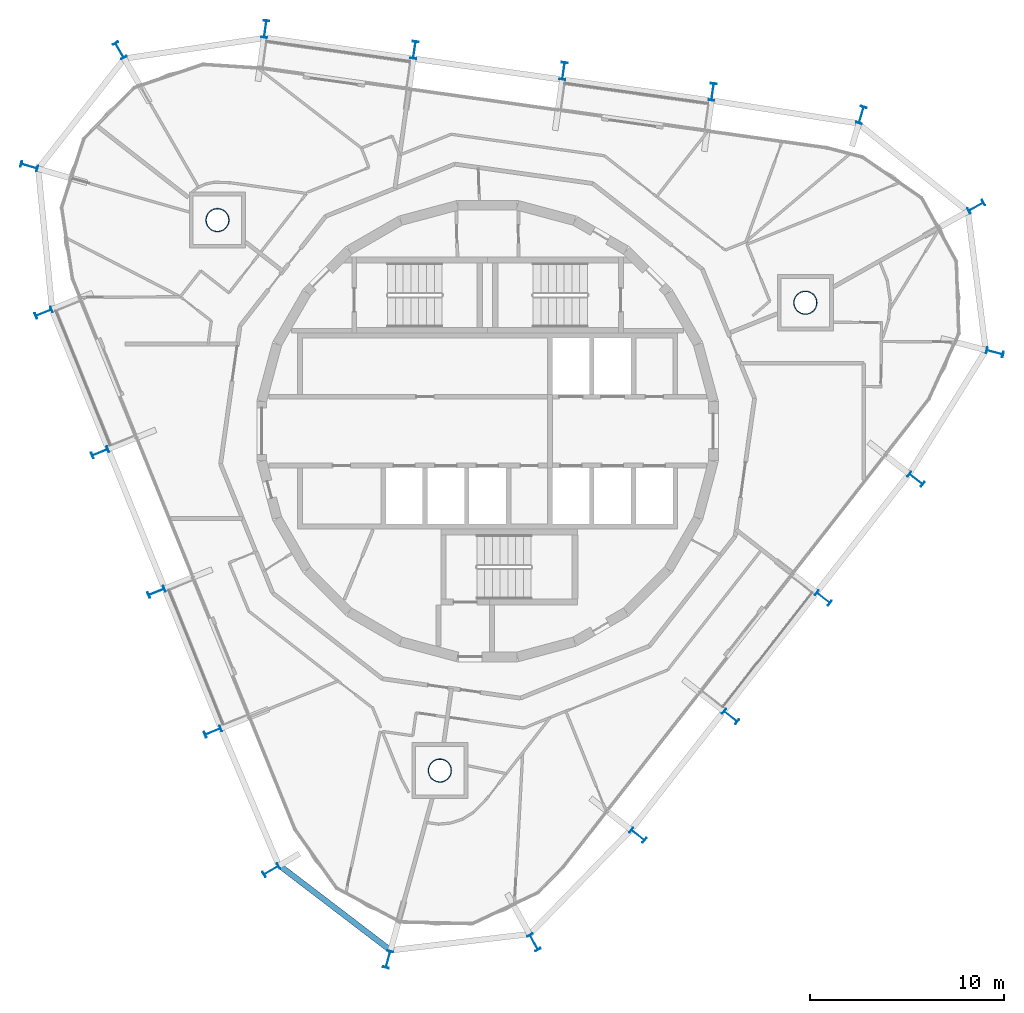
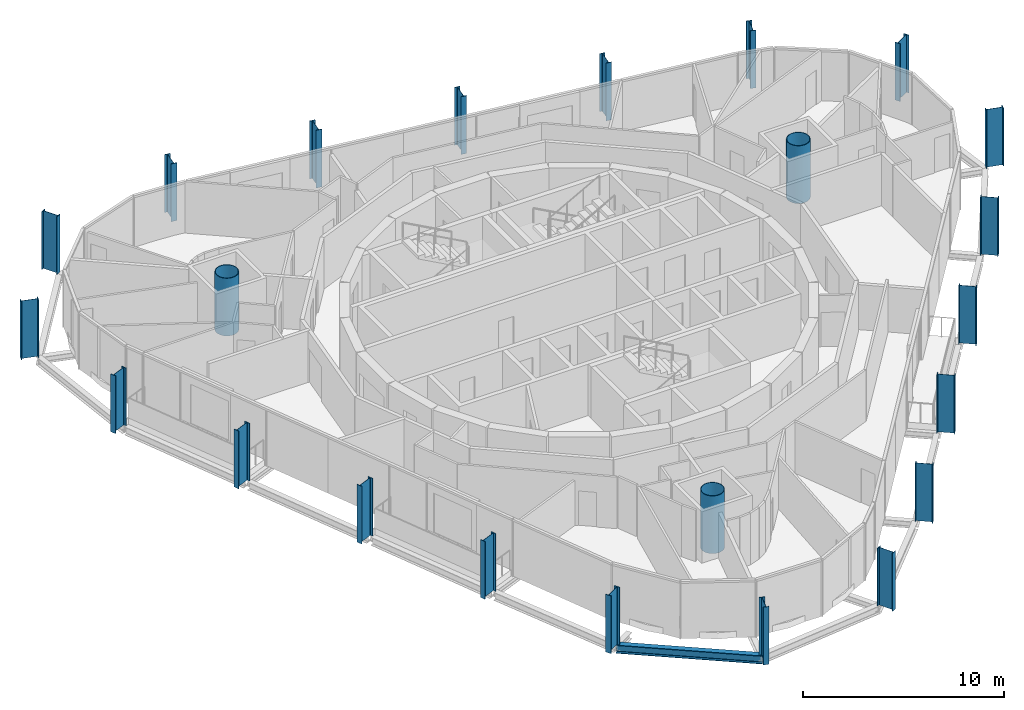
# One storey, part 1 of 15: 23 columns, 1 beam.
"""IFC4 building model written with IfcOpenShell, lengths in metres."""

from ifc_helpers import new_model, si_unit, direction, frame, origin, origin_2d, place, context, subcontext, project, spatial, hollow_circle, i_section, extrude, material, material_profile, profile_set, type_object, element, save


model = new_model("IFC4")

# Units and contexts
model_context = context("Model", 3, precision=1e-05, world=origin(), true_north=direction((0.0, 1.0)))
body_context = subcontext(model_context, "Body", "Model", "MODEL_VIEW")
ifc_project = project(units=[si_unit("LENGTHUNIT", "METRE"), si_unit("AREAUNIT", "SQUARE_METRE"), si_unit("VOLUMEUNIT", "CUBIC_METRE"), si_unit("PLANEANGLEUNIT", "RADIAN"), si_unit("MASSUNIT", "GRAM", prefix="KILO")], contexts=[model_context])

# Site, building, storey
site_placement = place(None, origin())
site = spatial("IfcSite", under=ifc_project, at=site_placement, CompositionType="ELEMENT")
building_placement = place(site_placement, origin())
building = spatial("IfcBuilding", under=site, at=building_placement, Name="Spindle Arch Residences", CompositionType="ELEMENT")
storey_placement = place(building_placement, frame((0.0, 0.0, 357.5)))
storey = spatial("IfcBuildingStorey", under=building, at=storey_placement, Name="L92", CompositionType="ELEMENT", Elevation=357.5)

# Columns
ifc_material_1 = material(Name="Steel S460ML, intumescent coating R 240", Category="steel")
ifc_material_profile_1 = material_profile(ifc_material_1, i_section(OverallWidth=0.300048828125, OverallDepth=0.89990234375, WebThickness=0.0185546875, FlangeThickness=0.034912109375, FilletRadius=0.030029296875, at=origin_2d()), Name="HEB 900")
ifc_profile_set_1 = profile_set([ifc_material_profile_1], Name="Steel S460ML, intumescent coating R 240")
column_type_1 = type_object("IfcColumnType", Name="Exoskeleton post HEB 900", PredefinedType="COLUMN", material=ifc_profile_set_1)
for number, where, z_axis, x_axis, name in (
    (1, (17.314208984375, -8.60009765625, -0.3798828125), (0.0, 0.0, 1.0), (-0.615661060634, -0.788011077599, 0.0), "Exoskeleton post 1"),
    (2, (22.09521484375, -2.480712890625, -0.3798828125), (0.0, 0.0, 1.0), (-0.615661060634, -0.788011077599, 0.0), "Exoskeleton post 2"),
    (3, (26.15869140625, 4.05712890625, -0.3798828125), (0.0, 0.0, 1.0), (-0.253940928912, -0.967219729236, 0.0), "Exoskeleton post 3"),
    (4, (25.19384765625, 11.571044921875, -0.3798828125), (0.0, 0.0, 1.0), (0.490023975195, -0.871708955865, 0.0), "Exoskeleton post 4"),
    (5, (19.27587890625, 16.30078125, -0.3798828125), (0.0, 0.0, 1.0), (0.958298489612, -0.285769146005, 0.0), "Exoskeleton post 5"),
    (6, (11.607421875, 17.4931640625, -0.3798828125), (0.0, 0.0, 1.0), (0.990268081324, -0.139173011432, 0.0), "Exoskeleton post 6"),
    (7, (3.91748046875, 18.573974609375, -0.3798828125), (0.0, 0.0, 1.0), (0.990268081324, -0.139173011432, 0.0), "Exoskeleton post 7"),
    (8, (-3.772705078125, 19.65478515625, -0.3798828125), (0.0, 0.0, 1.0), (0.990268081324, -0.139173011432, 0.0), "Exoskeleton post 8"),
    (9, (-11.462646484375, 20.735595703125, -0.3798828125), (0.0, 0.0, 1.0), (0.990268081324, -0.139173011432, 0.0), "Exoskeleton post 9"),
    (10, (-18.9755859375, 19.632080078125, -0.3798828125), (0.0, 0.0, 1.0), (0.866256848037, 0.499598912358, 0.0), "Exoskeleton post 10"),
    (11, (-23.6396484375, 13.662353515625, -0.3798828125), (0.0, 0.0, 1.0), (0.275193000466, 0.96138900165, 0.0), "Exoskeleton post 11"),
    (12, (-22.892578125, 6.105712890625, -0.3798828125), (0.0, 0.0, 1.0), (-0.374606892434, 0.927183733755, 0.0), "Exoskeleton post 12"),
    (13, (-19.983642578125, -1.094482421875, -0.3798828125), (0.0, 0.0, 1.0), (-0.374606892434, 0.927183733755, 0.0), "Exoskeleton post 13"),
    (14, (-17.07470703125, -8.29443359375, -0.3798828125), (0.0, 0.0, 1.0), (-0.374606892434, 0.927183733755, 0.0), "Exoskeleton post 14"),
    (15, (-14.16552734375, -15.49462890625, -0.3798828125), (0.0, 0.0, 1.0), (-0.374606892434, 0.927183733755, 0.0), "Exoskeleton post 15"),
    (16, (-11.1533203125, -22.64697265625, -0.3798828125), (0.0, 0.0, 1.0), (-0.509114042361, 0.86069907161, 0.0), "Exoskeleton post 16"),
    (17, (-5.13232421875, -27.244873046875, -0.3798828125), (0.0, 0.0, 1.0), (-0.964362923017, 0.264582978873, 0.0), "Exoskeleton post 17"),
    (18, (2.391845703125, -26.363037109375, -0.3798828125), (0.0, 0.0, 1.0), (-0.877055410309, -0.480389224741, 0.0), "Exoskeleton post 18"),
    (19, (7.752197265625, -20.838623046875, -0.3798828125), (0.0, 0.0, 1.0), (-0.615661060634, -0.788011077599, 0.0), "Exoskeleton post 19"),
    (20, (12.533203125, -14.71923828125, -0.3798828125), (0.0, 0.0, 1.0), (-0.615661060634, -0.788011077599, 0.0), "Exoskeleton post 20"),
):
    element("IfcColumn", number, at=place(storey_placement, frame(where, z_axis=z_axis, x_axis=x_axis)), inside=storey, type_object=column_type_1, Name=name, PredefinedType="COLUMN", context=body_context, shape_type="SweptSolid", body=[
        extrude(i_section(OverallWidth=0.300048828125, OverallDepth=0.89990234375, WebThickness=0.0185546875, FlangeThickness=0.034912109375, FilletRadius=0.030029296875, at=origin_2d()), origin(), (0.0, 0.0, 1.0), 3.5),
    ])
ifc_material_2 = material(Name="Concrete C50/60 filled steel tube S460ML, intumescent coating R 240", Category="concrete")
ifc_material_profile_2 = material_profile(ifc_material_2, hollow_circle(Radius=0.60009765625, WallThickness=0.030029296875, at=origin_2d()), Name="CFT D1200x30")
ifc_profile_set_2 = profile_set([ifc_material_profile_2], Name="Concrete C50/60 filled steel tube S460ML, intumescent coating R 240")
column_type_2 = type_object("IfcColumnType", Name="Mega-column CFT D1200x30", PredefinedType="COLUMN", material=ifc_profile_set_2)
for number, where, z_axis, x_axis, name in (
    (21, (16.3896484375, 6.621826171875, -0.3798828125), (0.0, 0.0, 1.0), (1.0, 0.0, 0.0), "Mega-column 1"),
    (22, (-13.929443359375, 10.883056640625, -0.3798828125), (0.0, 0.0, 1.0), (1.0, 0.0, 0.0), "Mega-column 2"),
    (23, (-2.460205078125, -17.5048828125, -0.3798828125), (0.0, 0.0, 1.0), (1.0, 0.0, 0.0), "Mega-column 3"),
):
    element("IfcColumn", number, at=place(storey_placement, frame(where, z_axis=z_axis, x_axis=x_axis)), inside=storey, type_object=column_type_2, Name=name, PredefinedType="COLUMN", context=body_context, shape_type="SweptSolid", body=[
        extrude(hollow_circle(Radius=0.60009765625, WallThickness=0.030029296875, at=origin_2d()), origin(), (0.0, 0.0, 1.0), 3.5),
    ])

# Beam
ifc_material_3 = material(Name="Steel S460ML, intumescent coating R 120", Category="steel")
ifc_material_profile_3 = material_profile(ifc_material_3, i_section(OverallWidth=0.300048828125, OverallDepth=0.5, WebThickness=0.014404296875, FlangeThickness=0.028076171875, FilletRadius=0.027099609375, at=origin_2d()), Name="HEB 500")
ifc_profile_set_3 = profile_set([ifc_material_profile_3], Name="Steel S460ML, intumescent coating R 120")
beam_type = type_object("IfcBeamType", Name="Exoskeleton edge beam HEB 500", PredefinedType="BEAM", material=ifc_profile_set_3)
beam_placement = place(storey_placement, frame((-10.77685546875, -22.3681640625, -0.6298828125), z_axis=(0.794751716533, -0.606934682703, 0.0), x_axis=(0.606934682703, 0.794751716533, 0.0)))
element("IfcBeam", 24, at=beam_placement, inside=storey, type_object=beam_type, Name="Exoskeleton edge beam 16", PredefinedType="BEAM", context=body_context, shape_type="SweptSolid", body=[
    extrude(i_section(OverallWidth=0.300048828125, OverallDepth=0.5, WebThickness=0.014404296875, FlangeThickness=0.028076171875, FilletRadius=0.027099609375, at=origin_2d()), origin(), (0.0, 0.0, 1.0), 7.315673828125),
])

save(model, "model.ifc")
